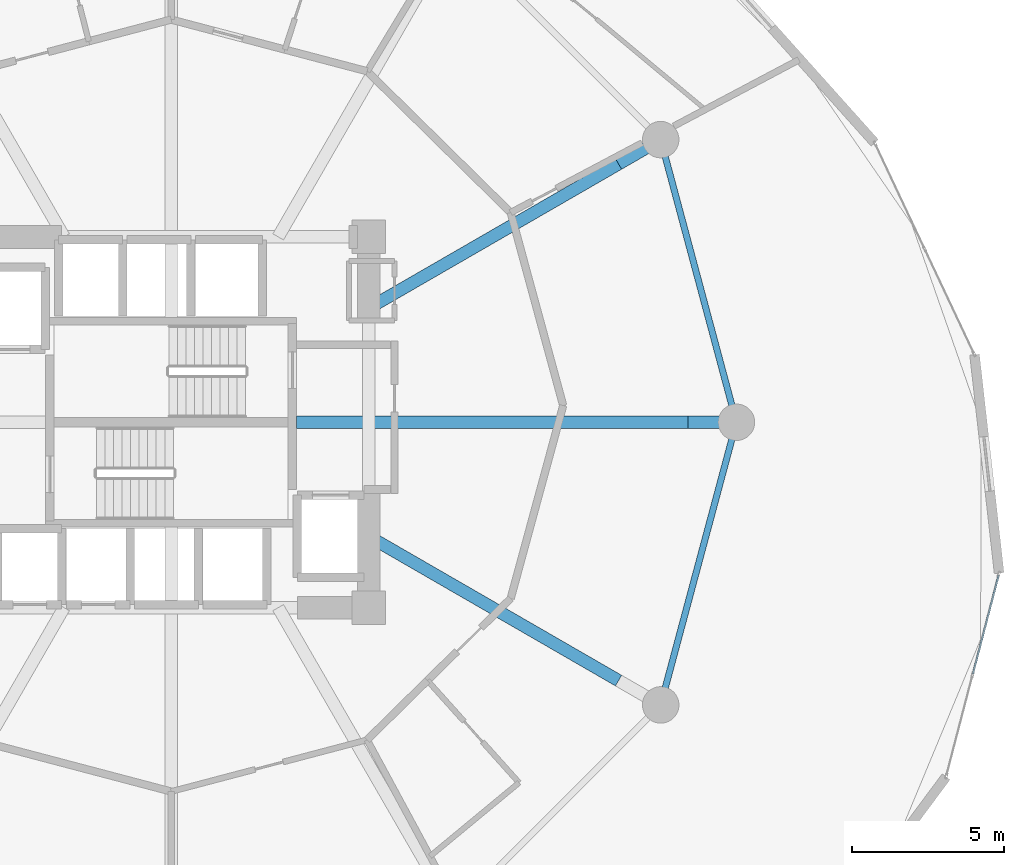
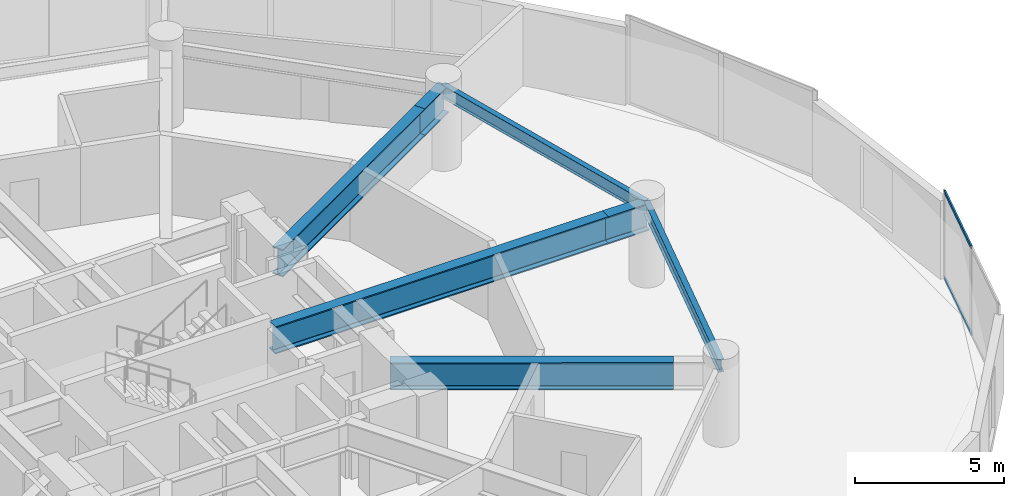
# One storey, part 10 of 24: 7 beams, 2 members, 1 element without a shape of its own.
"""IFC4 building model written with IfcOpenShell, lengths in metres."""

from ifc_helpers import new_model, si_unit, direction, frame, origin, origin_2d, place, context, subcontext, project, spatial, hollow_rectangle, i_section, extrude, source, transform, mapped, material, layer, layer_set, material_profile, profile_set, type_object, element, aggregate, save


model = new_model("IFC4")

# Units and contexts
model_context = context("Model", 3, precision=1e-05, world=origin(), true_north=direction((0.0, 1.0)))
body_context = subcontext(model_context, "Body", "Model", "MODEL_VIEW")
ifc_project = project(units=[si_unit("LENGTHUNIT", "METRE"), si_unit("AREAUNIT", "SQUARE_METRE"), si_unit("VOLUMEUNIT", "CUBIC_METRE"), si_unit("PLANEANGLEUNIT", "RADIAN"), si_unit("MASSUNIT", "GRAM", prefix="KILO")], contexts=[model_context])

# Site, building, storey
site_placement = place(None, origin())
site = spatial("IfcSite", under=ifc_project, at=site_placement, CompositionType="ELEMENT")
building_placement = place(site_placement, origin())
building = spatial("IfcBuilding", under=site, at=building_placement, Name="Solvirekh Grand Hotel", CompositionType="ELEMENT")
storey_placement = place(building_placement, frame((0.0, 0.0, 89.60009765625)))
storey = spatial("IfcBuildingStorey", under=building, at=storey_placement, Name="L22", CompositionType="ELEMENT", Elevation=89.60009765625)

# Beams
ifc_material_1 = material(Name="Steel S355", Category="steel")
ifc_material_profile_1 = material_profile(ifc_material_1, i_section(OverallWidth=0.208984375, OverallDepth=0.532958984375, WebThickness=0.010009765625, FlangeThickness=0.014892578125, FilletRadius=0.013916015625, at=origin_2d()), Name="W530X92")
ifc_profile_set_1 = profile_set([ifc_material_profile_1], Name="Steel S355")
beam_type_1 = type_object("IfcBeamType", Name="Spandrel_Ring_W530", PredefinedType="SPANDREL", material=ifc_profile_set_1)
for number, where, z_axis, x_axis, name in (
    (1, (18.60009765625, 0.0, 2.933837890625), (-0.258842973314, 0.965919414426, 0.0), (-0.965919414426, -0.258842973314, 0.0), "L22 perimeter spandrel beam 1"),
    (2, (16.10791015625, -9.300048828125, 2.933837890625), (0.258842973314, 0.965919414426, 0.0), (-0.965919414426, 0.258842973314, 0.0), "L22 perimeter spandrel beam 12"),
):
    element("IfcBeam", number, at=place(storey_placement, frame(where, z_axis=z_axis, x_axis=x_axis)), inside=storey, type_object=beam_type_1, Name=name, PredefinedType="SPANDREL", context=body_context, shape_type="SweptSolid", body=[
        extrude(i_section(OverallWidth=0.208984375, OverallDepth=0.532958984375, WebThickness=0.010009765625, FlangeThickness=0.014892578125, FilletRadius=0.013916015625, at=origin_2d()), origin(), (0.0, 0.0, 1.0), 9.628173828125),
    ])
ifc_material_2 = material(Name="Steel S460", Category="steel")
ifc_material_profile_2 = material_profile(ifc_material_2, i_section(OverallWidth=0.405029296875, OverallDepth=1.117919921875, WebThickness=0.02587890625, FlangeThickness=0.048095703125, FilletRadius=0.02392578125, at=origin_2d()), Name="W1100X499")
ifc_profile_set_2 = profile_set([ifc_material_profile_2], Name="Steel S460")
beam_type_2 = type_object("IfcBeamType", Name="TransferGirder_W1100", PredefinedType="USERDEFINED", material=ifc_profile_set_2)
beam_1_placement = place(storey_placement, frame((4.1298828125, 0.0, 2.640869140625), z_axis=(1.0, 0.0, 0.0), x_axis=(0.0, 1.0, 0.0)))
element("IfcBeam", 3, at=beam_1_placement, inside=storey, type_object=beam_type_2, Name="L22 inner radial transfer girder 1A", ObjectType="TRANSFER GIRDER", PredefinedType="USERDEFINED", context=body_context, shape_type="SweptSolid", body=[
    extrude(i_section(OverallWidth=0.405029296875, OverallDepth=1.117919921875, WebThickness=0.02587890625, FlangeThickness=0.048095703125, FilletRadius=0.02392578125, at=origin_2d()), origin(), (0.0, 0.0, 1.0), 12.8701171875),
])
beam_2_placement = place(storey_placement, frame((17.0, 0.0, 2.640869140625), z_axis=(1.0, 0.0, 0.0), x_axis=(0.0, 1.0, 0.0)))
element("IfcBeam", 4, at=beam_2_placement, inside=storey, type_object=beam_type_2, Name="L22 outer radial transfer girder 1B", ObjectType="TRANSFER GIRDER", PredefinedType="USERDEFINED", context=body_context, shape_type="SweptSolid", body=[
    extrude(i_section(OverallWidth=0.405029296875, OverallDepth=1.117919921875, WebThickness=0.02587890625, FlangeThickness=0.048095703125, FilletRadius=0.02392578125, at=origin_2d()), origin(), (0.0, 0.0, 1.0), 1.60009765625),
])
beam_3_placement = place(storey_placement, frame((6.5, 3.75390625, 2.640869140625), z_axis=(0.866063541164, 0.499933938303, 0.0), x_axis=(-0.499933938303, 0.866063541164, 0.0)))
element("IfcBeam", 5, at=beam_3_placement, inside=storey, type_object=beam_type_2, Name="L22 inner radial transfer girder 2A", ObjectType="TRANSFER GIRDER", PredefinedType="USERDEFINED", context=body_context, shape_type="SweptSolid", body=[
    extrude(i_section(OverallWidth=0.405029296875, OverallDepth=1.117919921875, WebThickness=0.02587890625, FlangeThickness=0.048095703125, FilletRadius=0.02392578125, at=origin_2d()), origin(), (0.0, 0.0, 1.0), 9.493408203125),
])
beam_4_placement = place(storey_placement, frame((14.721923828125, 8.5, 2.640869140625), z_axis=(0.866066190972, 0.499929347863, 0.0), x_axis=(-0.499929347863, 0.866066190972, 0.0)))
element("IfcBeam", 6, at=beam_4_placement, inside=storey, type_object=beam_type_2, Name="L22 outer radial transfer girder 2B", ObjectType="TRANSFER GIRDER", PredefinedType="USERDEFINED", context=body_context, shape_type="SweptSolid", body=[
    extrude(i_section(OverallWidth=0.405029296875, OverallDepth=1.117919921875, WebThickness=0.02587890625, FlangeThickness=0.048095703125, FilletRadius=0.02392578125, at=origin_2d()), origin(), (0.0, 0.0, 1.0), 1.600341796875),
])
beam_5_placement = place(storey_placement, frame((6.5, -3.75390625, 2.640869140625), z_axis=(0.866063541164, -0.499933938303, 0.0), x_axis=(0.499933938303, 0.866063541164, 0.0)))
element("IfcBeam", 7, at=beam_5_placement, inside=storey, type_object=beam_type_2, Name="L22 inner radial transfer girder 12A", ObjectType="TRANSFER GIRDER", PredefinedType="USERDEFINED", context=body_context, shape_type="SweptSolid", body=[
    extrude(i_section(OverallWidth=0.405029296875, OverallDepth=1.117919921875, WebThickness=0.02587890625, FlangeThickness=0.048095703125, FilletRadius=0.02392578125, at=origin_2d()), origin(), (0.0, 0.0, 1.0), 9.493408203125),
])

# Curtain wall, members
ifc_material_3 = material(Name="Anodized Bronze Aluminium 6063-T6", Category="aluminium")
ifc_layer = layer(ifc_material_3, 0.18994140625)
ifc_layer_set = layer_set([ifc_layer], Name="Anodized Bronze Aluminium 6063-T6")
curtain_wall_type = type_object("IfcCurtainWallType", Name="CW_Sys2_LowZoneFlushBronzeCW", PredefinedType="NOTDEFINED", material=ifc_layer_set)
curtain_wall_placement = place(storey_placement, origin())
curtain_wall = element("IfcCurtainWall", 8, at=curtain_wall_placement, inside=storey, type_object=curtain_wall_type, Name="L22 unitised bronze-glass curtain wall CW-L22-C01", PredefinedType="NOTDEFINED")
ifc_material_profile_3 = material_profile(ifc_material_3, hollow_rectangle(XDim=0.06005859375, YDim=0.135009765625, WallThickness=0.00390625, at=origin_2d()), Name="ALU RHS 135X60X4")
ifc_profile_set_3 = profile_set([ifc_material_profile_3], Name="Anodized Bronze Aluminium 6063-T6")
member_type = type_object("IfcMemberType", Name="CWTransom_Sys2", PredefinedType="USERDEFINED", material=ifc_profile_set_3)
shared_shape = source(origin(), body_context, "Body", "SweptSolid", [
    extrude(hollow_rectangle(XDim=0.06005859375, YDim=0.135009765625, WallThickness=0.00390625, at=origin_2d()), origin(), (0.0, 0.0, 1.0), 3.35791015625),
])
member_1_placement = place(storey_placement, frame((26.380859375, -8.28125, 0.02978515625), z_axis=(0.252069677375, 0.967709087354, 0.0), x_axis=(-0.967709087354, 0.252069677375, 0.0)))
member_1 = element("IfcMember", 9, at=member_1_placement, type_object=member_type, Name="U02 transom 2.1", ObjectType="TRANSOM", PredefinedType="USERDEFINED", context=body_context, shape_type="MappedRepresentation", body=[
    mapped(shared_shape, transform((0.0, 0.0, 0.0), x_axis=(1.0, 0.0, 0.0), y_axis=(0.0, 1.0, 0.0), z_axis=(0.0, 0.0, 1.0), scale=1.0)),
])
member_2_placement = place(storey_placement, frame((26.380859375, -8.28125, 3.56982421875), z_axis=(0.252069677375, 0.967709087354, 0.0), x_axis=(-0.967709087354, 0.252069677375, 0.0)))
member_2 = element("IfcMember", 10, at=member_2_placement, type_object=member_type, Name="U02 transom 2.2", ObjectType="TRANSOM", PredefinedType="USERDEFINED", context=body_context, shape_type="MappedRepresentation", body=[
    mapped(shared_shape, transform((0.0, 0.0, 0.0), x_axis=(1.0, 0.0, 0.0), y_axis=(0.0, 1.0, 0.0), z_axis=(0.0, 0.0, 1.0), scale=1.0)),
])
aggregate(curtain_wall, [member_1, member_2])

save(model, "model.ifc")
